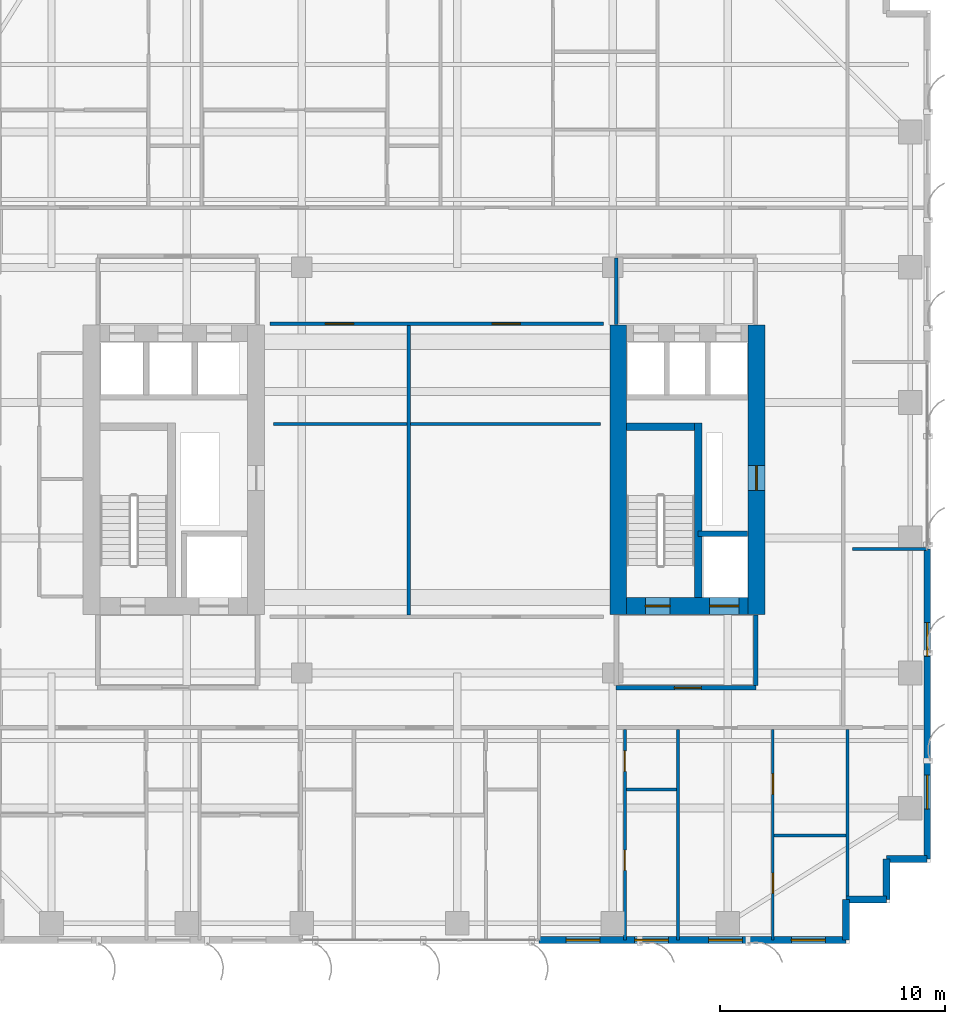
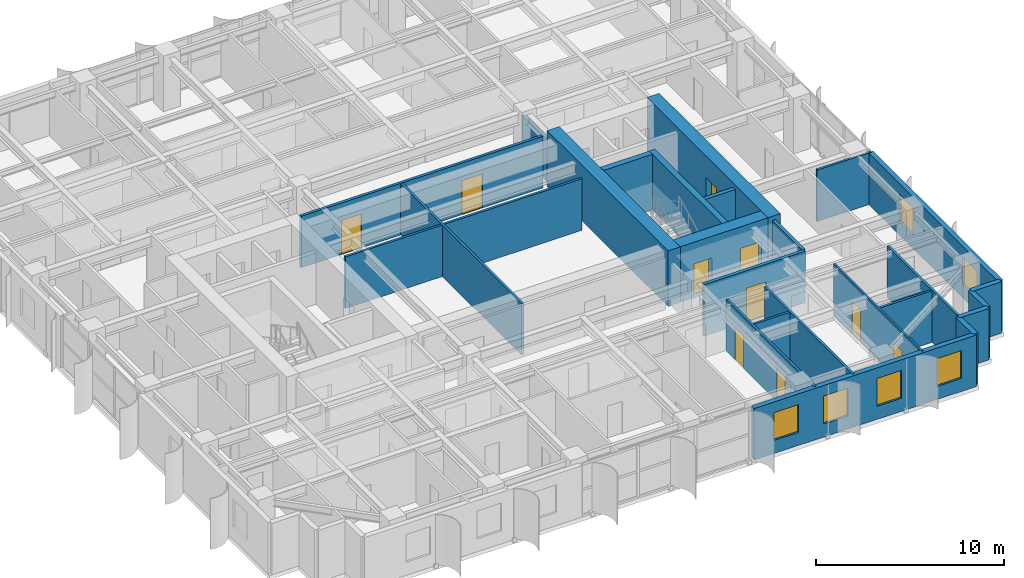
# One storey, part 15 of 22: 25 walls, 10 doors, 6 windows, 16 openings.
"""IFC4 building model written with IfcOpenShell, lengths in metres."""

from ifc_helpers import new_model, si_unit, direction, frame, frame_2d, origin, place, context, subcontext, project, spatial, rectangle, extrude, source, transform, mapped, material, layer, layer_set, type_object, element, fill, save


model = new_model("IFC4")

# Units and contexts
model_context = context("Model", 3, precision=1e-05, world=origin(), true_north=direction((0.0, 1.0)))
body_context = subcontext(model_context, "Body", "Model", "MODEL_VIEW")
ifc_project = project(units=[si_unit("LENGTHUNIT", "METRE"), si_unit("AREAUNIT", "SQUARE_METRE"), si_unit("VOLUMEUNIT", "CUBIC_METRE"), si_unit("PLANEANGLEUNIT", "RADIAN"), si_unit("MASSUNIT", "GRAM", prefix="KILO")], contexts=[model_context])

# Site, building, storey
site_placement = place(None, origin())
site = spatial("IfcSite", under=ifc_project, at=site_placement, CompositionType="ELEMENT")
building_placement = place(site_placement, origin())
building = spatial("IfcBuilding", under=site, at=building_placement, Name="Khoralis Quay Care Tower", CompositionType="ELEMENT")
storey_placement = place(building_placement, frame((0.0, 0.0, 98.10009765625)))
storey = spatial("IfcBuildingStorey", under=building, at=storey_placement, Name="L25", CompositionType="ELEMENT", Elevation=98.10009765625)

# Wall, opening, door
ifc_material_1 = material(Name="Gypsum plasterboard on acoustic metal stud")
ifc_layer_1 = layer(ifc_material_1, 0.199951171875)
ifc_layer_set_1 = layer_set([ifc_layer_1], Name="Gypsum plasterboard on acoustic metal stud")
wall_type_1 = type_object("IfcWallType", Name="WL-COMP-200", PredefinedType="PARTITIONING", material=ifc_layer_set_1)
wall_1_placement = place(storey_placement, frame((31.050048828125, 11.35009765625, 0.0), z_axis=(0.0, 0.0, 1.0), x_axis=(1.0, 0.0, 0.0)))
wall_1 = element("IfcWall", 1, at=wall_1_placement, inside=storey, type_object=wall_type_1, Name="L25 East Firefighting Lobby South Wall", PredefinedType="PARTITIONING", context=body_context, shape_type="SweptSolid", body=[
    extrude(rectangle(XDim=6.199951171875, YDim=0.199951171875, at=frame_2d((3.10009765625, 0.0))), origin(), (0.0, 0.0, 1.0), 3.33984375),
])
opening_1_placement = place(wall_1_placement, frame((2.585693359375, 0.0, 0.0)))
opening_1 = element("IfcOpeningElement", 2, at=opening_1_placement, cuts=wall_1, Name="Opening FD1", PredefinedType="OPENING", context=body_context, shape_type="SweptSolid", body=[
    extrude(rectangle(XDim=1.199951171875, YDim=2.199951171875, at=frame_2d((0.60009765625, 1.10009765625))), frame((0.0, 0.10986328125, 0.0), z_axis=(0.0, -1.0, 0.0), x_axis=(1.0, 0.0, 0.0)), (0.0, 0.0, 1.0), 0.219970703125),
])
ifc_material_2 = material(Name="Fire-rated painted steel", Category="steel")
door_type_1 = type_object("IfcDoorType", Name="DR-FFL-1200X2200", OperationType="NOTDEFINED", PredefinedType="DOOR", material=ifc_material_2)
shared_shape_1 = source(origin(), body_context, "Body", "SweptSolid", [
    extrude(rectangle(XDim=1.199951171875, YDim=2.199951171875, at=frame_2d((0.60009765625, 1.10009765625))), frame((0.0, 0.02490234375, 0.0), z_axis=(0.0, -1.0, 0.0), x_axis=(1.0, 0.0, 0.0)), (0.0, 0.0, 1.0), 0.050048828125),
])
door_1_placement = place(opening_1_placement, origin())
door_1 = element("IfcDoor", 3, at=door_1_placement, inside=storey, type_object=door_type_1, Name="L25 East Firefighting Lobby Fire Door", OperationType="SINGLE_SWING_RIGHT", OverallHeight=2.199951171875, OverallWidth=1.199951171875, PredefinedType="DOOR", context=body_context, shape_type="MappedRepresentation", body=[
    mapped(shared_shape_1, transform((0.0, 0.0, 0.0), scale=1.0)),
])
fill(opening_1, door_1)

# Walls
wall_2_placement = place(storey_placement, frame((37.25, 11.445068359375, 0.0), z_axis=(0.0, 0.0, 1.0), x_axis=(0.0, 1.0, 0.0)))
element("IfcWall", 4, at=wall_2_placement, inside=storey, type_object=wall_type_1, Name="L25 East Firefighting Lobby East Wall", PredefinedType="PARTITIONING", context=body_context, shape_type="SweptSolid", body=[
    extrude(rectangle(XDim=3.135009765625, YDim=0.199951171875, at=frame_2d((1.5673828125, 0.0))), origin(), (0.0, 0.0, 1.0), 3.33984375),
])
ifc_material_3 = material(Name="Concrete C80/95", Category="concrete")
ifc_layer_2 = layer(ifc_material_3, 0.75)
ifc_layer_set_2 = layer_set([ifc_layer_2], Name="Concrete C80/95")
wall_type_2 = type_object("IfcWallType", Name="WL-CORE-750", PredefinedType="SHEAR", material=ifc_layer_set_2)
wall_3_placement = place(storey_placement, frame((31.14501953125, 14.60009765625, 0.0), z_axis=(0.0, 0.0, 1.0), x_axis=(0.0, 1.0, 0.0)))
element("IfcWall", 5, at=wall_3_placement, inside=storey, type_object=wall_type_2, Name="L25 ECORE West Shear Wall", PredefinedType="SHEAR", context=body_context, shape_type="SweptSolid", body=[
    extrude(rectangle(XDim=12.849853515625, YDim=0.75, at=frame_2d((6.4248046875, 0.0))), origin(), (0.0, 0.0, 1.0), 3.599853515625),
])

# Wall, opening, door
wall_4_placement = place(storey_placement, frame((37.27490234375, 14.60009765625, 0.0), z_axis=(0.0, 0.0, 1.0), x_axis=(0.0, 1.0, 0.0)))
wall_4 = element("IfcWall", 6, at=wall_4_placement, inside=storey, type_object=wall_type_2, Name="L25 ECORE East Shear Wall", PredefinedType="SHEAR", context=body_context, shape_type="SweptSolid", body=[
    extrude(rectangle(XDim=12.849853515625, YDim=0.75, at=frame_2d((6.4248046875, 0.0))), origin(), (0.0, 0.0, 1.0), 3.599853515625),
])
opening_2_placement = place(wall_4_placement, frame((5.5, 0.0, 0.0)))
opening_2 = element("IfcOpeningElement", 7, at=opening_2_placement, cuts=wall_4, Name="Opening SD1", PredefinedType="OPENING", context=body_context, shape_type="SweptSolid", body=[
    extrude(rectangle(XDim=1.10009765625, YDim=2.199951171875, at=frame_2d((0.550048828125, 1.10009765625))), frame((0.0, 0.385009765625, 0.0), z_axis=(0.0, -1.0, 0.0), x_axis=(1.0, 0.0, 0.0)), (0.0, 0.0, 1.0), 0.77001953125),
])
door_type_2 = type_object("IfcDoorType", Name="DR-STAIR-1100X2200", OperationType="NOTDEFINED", PredefinedType="DOOR", material=ifc_material_2)
shared_shape_2 = source(origin(), body_context, "Body", "SweptSolid", [
    extrude(rectangle(XDim=1.10009765625, YDim=2.199951171875, at=frame_2d((0.550048828125, 1.10009765625))), frame((0.0, 0.02490234375, 0.0), z_axis=(0.0, -1.0, 0.0), x_axis=(1.0, 0.0, 0.0)), (0.0, 0.0, 1.0), 0.050048828125),
])
door_2_placement = place(opening_2_placement, frame((1.10009765625, 0.0, 0.0), z_axis=(0.0, 0.0, 1.0), x_axis=(-1.0, 0.0, 0.0)))
door_2 = element("IfcDoor", 8, at=door_2_placement, inside=storey, type_object=door_type_2, Name="L25 East MEP Riser Door", OperationType="SINGLE_SWING_RIGHT", OverallHeight=2.199951171875, OverallWidth=1.10009765625, PredefinedType="DOOR", context=body_context, shape_type="MappedRepresentation", body=[
    mapped(shared_shape_2, transform((0.0, 0.0, 0.0), scale=1.0)),
])
fill(opening_2, door_2)

# Wall, openings, doors
wall_5_placement = place(storey_placement, frame((31.52001953125, 14.97509765625, 0.0), z_axis=(0.0, 0.0, 1.0), x_axis=(1.0, 0.0, 0.0)))
wall_5 = element("IfcWall", 9, at=wall_5_placement, inside=storey, type_object=wall_type_2, Name="L25 ECORE South Shear Wall", PredefinedType="SHEAR", context=body_context, shape_type="SweptSolid", body=[
    extrude(rectangle(XDim=5.3798828125, YDim=0.75, at=frame_2d((2.68994140625, 0.0))), origin(), (0.0, 0.0, 1.0), 3.599853515625),
])
opening_3_placement = place(wall_5_placement, frame((0.830078125, 0.0, 0.0)))
opening_3 = element("IfcOpeningElement", 10, at=opening_3_placement, cuts=wall_5, Name="Opening SD1", PredefinedType="OPENING", context=body_context, shape_type="SweptSolid", body=[
    extrude(rectangle(XDim=1.10009765625, YDim=2.199951171875, at=frame_2d((0.550048828125, 1.10009765625))), frame((0.0, 0.385009765625, 0.0), z_axis=(0.0, -1.0, 0.0), x_axis=(1.0, 0.0, 0.0)), (0.0, 0.0, 1.0), 0.77001953125),
])
opening_4_placement = place(wall_5_placement, frame((3.679931640625, 0.0, 0.0)))
opening_4 = element("IfcOpeningElement", 11, at=opening_4_placement, cuts=wall_5, Name="Opening LD2", PredefinedType="OPENING", context=body_context, shape_type="SweptSolid", body=[
    extrude(rectangle(XDim=1.300048828125, YDim=2.199951171875, at=frame_2d((0.64990234375, 1.10009765625))), frame((0.0, 0.385009765625, 0.0), z_axis=(0.0, -1.0, 0.0), x_axis=(1.0, 0.0, 0.0)), (0.0, 0.0, 1.0), 0.77001953125),
])
door_3_placement = place(opening_3_placement, origin())
door_3 = element("IfcDoor", 12, at=door_3_placement, inside=storey, type_object=door_type_2, Name="L25 Stair ST-T2 Fire Door", OperationType="SINGLE_SWING_RIGHT", OverallHeight=2.199951171875, OverallWidth=1.10009765625, PredefinedType="DOOR", context=body_context, shape_type="MappedRepresentation", body=[
    mapped(shared_shape_2, transform((0.0, 0.0, 0.0), scale=1.0)),
])
fill(opening_3, door_3)
ifc_material_4 = material(Name="Brushed stainless steel", Category="steel")
door_type_3 = type_object("IfcDoorType", Name="DR-LIFT-1300X2200", OperationType="SLIDING_TO_RIGHT", PredefinedType="DOOR", material=ifc_material_4)
shared_shape_3 = source(origin(), body_context, "Body", "SweptSolid", [
    extrude(rectangle(XDim=1.300048828125, YDim=2.199951171875, at=frame_2d((0.64990234375, 1.10009765625))), frame((0.0, 0.02490234375, 0.0), z_axis=(0.0, -1.0, 0.0), x_axis=(1.0, 0.0, 0.0)), (0.0, 0.0, 1.0), 0.050048828125),
])
door_4_placement = place(opening_4_placement, origin())
door_4 = element("IfcDoor", 13, at=door_4_placement, inside=storey, type_object=door_type_3, Name="L25 Firefighting Lift FFL-2 Landing Door", OperationType="SLIDING_TO_RIGHT", OverallHeight=2.199951171875, OverallWidth=1.300048828125, PredefinedType="DOOR", context=body_context, shape_type="MappedRepresentation", body=[
    mapped(shared_shape_3, transform((0.0, 0.0, 0.0), scale=1.0)),
])
fill(opening_4, door_4)

# Wall
ifc_layer_3 = layer(ifc_material_1, 0.1650390625)
ifc_layer_set_3 = layer_set([ifc_layer_3], Name="Gypsum plasterboard on acoustic metal stud")
wall_type_3 = type_object("IfcWallType", Name="WL-CORR-165", PredefinedType="PARTITIONING", material=ifc_layer_set_3)
wall_6_placement = place(storey_placement, frame((31.050048828125, 27.469970703125, 0.0), z_axis=(0.0, 0.0, 1.0), x_axis=(0.0, 1.0, 0.0)))
element("IfcWall", 14, at=wall_6_placement, inside=storey, type_object=wall_type_3, Name="L25 East Lift Lobby West Wall", PredefinedType="PARTITIONING", context=body_context, shape_type="SweptSolid", body=[
    extrude(rectangle(XDim=2.95263671875, YDim=0.1650390625, at=frame_2d((1.476318359375, 0.0))), origin(), (0.0, 0.0, 1.0), 2.723876953125),
])

# Wall, openings, doors
wall_7_placement = place(storey_placement, frame((15.699951171875, 27.5, 0.0), z_axis=(0.0, 0.0, 1.0), x_axis=(1.0, 0.0, 0.0)))
wall_7 = element("IfcWall", 15, at=wall_7_placement, inside=storey, type_object=wall_type_3, Name="L25 Central Clinical North Wall", PredefinedType="PARTITIONING", context=body_context, shape_type="SweptSolid", body=[
    extrude(rectangle(XDim=14.800048828125, YDim=0.1650390625, at=frame_2d((7.39990234375, 0.0))), origin(), (0.0, 0.0, 1.0), 3.33984375),
])
opening_5_placement = place(wall_7_placement, frame((2.449951171875, 0.0, 0.0)))
opening_5 = element("IfcOpeningElement", 16, at=opening_5_placement, cuts=wall_7, Name="Opening CD1", PredefinedType="OPENING", context=body_context, shape_type="SweptSolid", body=[
    extrude(rectangle(XDim=1.25, YDim=2.199951171875, at=frame_2d((0.625, 1.10009765625))), frame((0.0, 0.092529296875, 0.0), z_axis=(0.0, -1.0, 0.0), x_axis=(1.0, 0.0, 0.0)), (0.0, 0.0, 1.0), 0.18505859375),
])
opening_6_placement = place(wall_7_placement, frame((9.85009765625, 0.0, 0.0)))
opening_6 = element("IfcOpeningElement", 17, at=opening_6_placement, cuts=wall_7, Name="Opening CD1", PredefinedType="OPENING", context=body_context, shape_type="SweptSolid", body=[
    extrude(rectangle(XDim=1.25, YDim=2.199951171875, at=frame_2d((0.625, 1.10009765625))), frame((0.0, 0.092529296875, 0.0), z_axis=(0.0, -1.0, 0.0), x_axis=(1.0, 0.0, 0.0)), (0.0, 0.0, 1.0), 0.18505859375),
])
ifc_material_5 = material(Name="Acoustic hardwood timber", Category="wood")
door_type_4 = type_object("IfcDoorType", Name="DR-CARE-1250X2200", OperationType="NOTDEFINED", PredefinedType="DOOR", material=ifc_material_5)
shared_shape_4 = source(origin(), body_context, "Body", "SweptSolid", [
    extrude(rectangle(XDim=1.25, YDim=2.199951171875, at=frame_2d((0.625, 1.10009765625))), frame((0.0, 0.02490234375, 0.0), z_axis=(0.0, -1.0, 0.0), x_axis=(1.0, 0.0, 0.0)), (0.0, 0.0, 1.0), 0.050048828125),
])
door_5_placement = place(opening_5_placement, frame((1.25, 0.0, 0.0), z_axis=(0.0, 0.0, 1.0), x_axis=(-1.0, 0.0, 0.0)))
door_5 = element("IfcDoor", 18, at=door_5_placement, inside=storey, type_object=door_type_4, Name="L25 Library Lounge Door", OperationType="SINGLE_SWING_LEFT", OverallHeight=2.199951171875, OverallWidth=1.25, PredefinedType="DOOR", context=body_context, shape_type="MappedRepresentation", body=[
    mapped(shared_shape_4, transform((0.0, 0.0, 0.0), scale=1.0)),
])
fill(opening_5, door_5)
door_6_placement = place(opening_6_placement, frame((1.25, 0.0, 0.0), z_axis=(0.0, 0.0, 1.0), x_axis=(-1.0, 0.0, 0.0)))
door_6 = element("IfcDoor", 19, at=door_6_placement, inside=storey, type_object=door_type_4, Name="L25 Occupational Therapy Door", OperationType="SINGLE_SWING_RIGHT", OverallHeight=2.199951171875, OverallWidth=1.25, PredefinedType="DOOR", context=body_context, shape_type="MappedRepresentation", body=[
    mapped(shared_shape_4, transform((0.0, 0.0, 0.0), scale=1.0)),
])
fill(opening_6, door_6)

# Wall, openings, windows
ifc_material_6 = material(Name="Precast concrete C45/55", Category="concrete")
ifc_layer_4 = layer(ifc_material_6, 0.300048828125)
ifc_layer_set_4 = layer_set([ifc_layer_4], Name="Precast concrete C45/55")
wall_type_4 = type_object("IfcWallType", Name="WL-EXT-REF-300", PredefinedType="SOLIDWALL", material=ifc_layer_set_4)
wall_8_placement = place(storey_placement, frame((27.6201171875, 0.14990234375, 0.0), z_axis=(0.0, 0.0, 1.0), x_axis=(1.0, 0.0, 0.0)))
wall_8 = element("IfcWall", 20, at=wall_8_placement, inside=storey, type_object=wall_type_4, Name="L25 External Facade Wall WL-EXT-L25-P1-E0B", PredefinedType="SOLIDWALL", context=body_context, shape_type="SweptSolid", body=[
    extrude(rectangle(XDim=13.6298828125, YDim=0.300048828125, at=frame_2d((6.81494140625, 0.0))), origin(), (0.0, 0.0, 1.0), 3.33984375),
])
opening_7_placement = place(wall_8_placement, frame((1.2099609375, 0.0, 0.85009765625)))
opening_7 = element("IfcOpeningElement", 21, at=opening_7_placement, cuts=wall_8, Name="Opening W3", PredefinedType="OPENING", context=body_context, shape_type="SweptSolid", body=[
    extrude(rectangle(XDim=1.5, YDim=1.800048828125, at=frame_2d((0.75, 0.89990234375))), frame((0.0, 0.16015625, 0.0), z_axis=(0.0, -1.0, 0.0), x_axis=(1.0, 0.0, 0.0)), (0.0, 0.0, 1.0), 0.320068359375),
])
opening_8_placement = place(wall_8_placement, frame((4.2451171875, 0.0, 0.85009765625)))
opening_8 = element("IfcOpeningElement", 22, at=opening_8_placement, cuts=wall_8, Name="Opening W3", PredefinedType="OPENING", context=body_context, shape_type="SweptSolid", body=[
    extrude(rectangle(XDim=1.5, YDim=1.800048828125, at=frame_2d((0.75, 0.89990234375))), frame((0.0, 0.16015625, 0.0), z_axis=(0.0, -1.0, 0.0), x_axis=(1.0, 0.0, 0.0)), (0.0, 0.0, 1.0), 0.320068359375),
])
opening_9_placement = place(wall_8_placement, frame((7.528564453125, 0.0, 0.85009765625)))
opening_9 = element("IfcOpeningElement", 23, at=opening_9_placement, cuts=wall_8, Name="Opening W3", PredefinedType="OPENING", context=body_context, shape_type="SweptSolid", body=[
    extrude(rectangle(XDim=1.5, YDim=1.800048828125, at=frame_2d((0.75, 0.89990234375))), frame((0.0, 0.16015625, 0.0), z_axis=(0.0, -1.0, 0.0), x_axis=(1.0, 0.0, 0.0)), (0.0, 0.0, 1.0), 0.320068359375),
])
opening_10_placement = place(wall_8_placement, frame((11.20849609375, 0.0, 0.85009765625)))
opening_10 = element("IfcOpeningElement", 24, at=opening_10_placement, cuts=wall_8, Name="Opening W3", PredefinedType="OPENING", context=body_context, shape_type="SweptSolid", body=[
    extrude(rectangle(XDim=1.5, YDim=1.800048828125, at=frame_2d((0.75, 0.89990234375))), frame((0.0, 0.16015625, 0.0), z_axis=(0.0, -1.0, 0.0), x_axis=(1.0, 0.0, 0.0)), (0.0, 0.0, 1.0), 0.320068359375),
])
ifc_material_7 = material(Name="Low-E solar-control double glazing", Category="glass")
window_type = type_object("IfcWindowType", Name="WN-CLIN-1500X1800", PartitioningType="SINGLE_PANEL", PredefinedType="WINDOW", material=ifc_material_7)
shared_shape_5 = source(origin(), body_context, "Body", "SweptSolid", [
    extrude(rectangle(XDim=1.5, YDim=1.800048828125, at=frame_2d((0.75, 0.89990234375))), frame((0.0, 0.030029296875, 0.0), z_axis=(0.0, -1.0, 0.0), x_axis=(1.0, 0.0, 0.0)), (0.0, 0.0, 1.0), 0.06005859375),
])
window_1_placement = place(opening_7_placement, origin())
window_1 = element("IfcWindow", 25, at=window_1_placement, inside=storey, type_object=window_type, Name="WN-L25-P1-E0B Facade Window 01", OverallHeight=1.800048828125, OverallWidth=1.5, PartitioningType="SINGLE_PANEL", PredefinedType="WINDOW", context=body_context, shape_type="MappedRepresentation", body=[
    mapped(shared_shape_5, transform((0.0, 0.0, 0.0), scale=1.0)),
])
fill(opening_7, window_1)
window_2_placement = place(opening_8_placement, origin())
window_2 = element("IfcWindow", 26, at=window_2_placement, inside=storey, type_object=window_type, Name="WN-L25-P1-E0B Facade Window 02", OverallHeight=1.800048828125, OverallWidth=1.5, PartitioningType="SINGLE_PANEL", PredefinedType="WINDOW", context=body_context, shape_type="MappedRepresentation", body=[
    mapped(shared_shape_5, transform((0.0, 0.0, 0.0), scale=1.0)),
])
fill(opening_8, window_2)
window_3_placement = place(opening_9_placement, origin())
window_3 = element("IfcWindow", 27, at=window_3_placement, inside=storey, type_object=window_type, Name="WN-L25-P1-E0B Facade Window 03", OverallHeight=1.800048828125, OverallWidth=1.5, PartitioningType="SINGLE_PANEL", PredefinedType="WINDOW", context=body_context, shape_type="MappedRepresentation", body=[
    mapped(shared_shape_5, transform((0.0, 0.0, 0.0), scale=1.0)),
])
fill(opening_9, window_3)
window_4_placement = place(opening_10_placement, origin())
window_4 = element("IfcWindow", 28, at=window_4_placement, inside=storey, type_object=window_type, Name="WN-L25-P1-E0B Facade Window 04", OverallHeight=1.800048828125, OverallWidth=1.5, PartitioningType="SINGLE_PANEL", PredefinedType="WINDOW", context=body_context, shape_type="MappedRepresentation", body=[
    mapped(shared_shape_5, transform((0.0, 0.0, 0.0), scale=1.0)),
])
fill(opening_10, window_4)

# Walls
for number, where, z_axis, x_axis, name in (
    (29, (41.25, 0.14990234375, 0.0), (0.0, 0.0, 1.0), (0.0, 1.0, 0.0), "L25 External Facade Wall WL-EXT-L25-P1-C1"),
    (30, (41.25, 1.949951171875, 0.0), (0.0, 0.0, 1.0), (1.0, 0.0, 0.0), "L25 External Facade Wall WL-EXT-L25-P1-C2"),
    (31, (43.050048828125, 1.949951171875, 0.0), (0.0, 0.0, 1.0), (0.0, 1.0, 0.0), "L25 External Facade Wall WL-EXT-L25-P1-C3"),
    (32, (43.050048828125, 3.75, 0.0), (0.0, 0.0, 1.0), (1.0, 0.0, 0.0), "L25 External Facade Wall WL-EXT-L25-P1-C4"),
):
    element("IfcWall", number, at=place(storey_placement, frame(where, z_axis=z_axis, x_axis=x_axis)), inside=storey, type_object=wall_type_4, Name=name, PredefinedType="SOLIDWALL", context=body_context, shape_type="SweptSolid", body=[
        extrude(rectangle(XDim=1.800048828125, YDim=0.300048828125, at=frame_2d((0.89990234375, 0.0))), origin(), (0.0, 0.0, 1.0), 3.33984375),
    ])

# Wall, openings, windows
wall_9_placement = place(storey_placement, frame((44.85009765625, 3.75, 0.0), z_axis=(0.0, 0.0, 1.0), x_axis=(0.0, 1.0, 0.0)))
wall_9 = element("IfcWall", 33, at=wall_9_placement, inside=storey, type_object=wall_type_4, Name="L25 External Facade Wall WL-EXT-L25-P1-E5A", PredefinedType="SOLIDWALL", context=body_context, shape_type="SweptSolid", body=[
    extrude(rectangle(XDim=13.75, YDim=0.300048828125, at=frame_2d((6.875, 0.0))), origin(), (0.0, 0.0, 1.0), 3.33984375),
])
opening_11_placement = place(wall_9_placement, frame((2.215087890625, 0.0, 0.85009765625)))
opening_11 = element("IfcOpeningElement", 34, at=opening_11_placement, cuts=wall_9, Name="Opening W3", PredefinedType="OPENING", context=body_context, shape_type="SweptSolid", body=[
    extrude(rectangle(XDim=1.5, YDim=1.800048828125, at=frame_2d((0.75, 0.89990234375))), frame((0.0, 0.16015625, 0.0), z_axis=(0.0, -1.0, 0.0), x_axis=(1.0, 0.0, 0.0)), (0.0, 0.0, 1.0), 0.320068359375),
])
opening_12_placement = place(wall_9_placement, frame((8.989990234375, 0.0, 0.85009765625)))
opening_12 = element("IfcOpeningElement", 35, at=opening_12_placement, cuts=wall_9, Name="Opening W3", PredefinedType="OPENING", context=body_context, shape_type="SweptSolid", body=[
    extrude(rectangle(XDim=1.5, YDim=1.800048828125, at=frame_2d((0.75, 0.89990234375))), frame((0.0, 0.16015625, 0.0), z_axis=(0.0, -1.0, 0.0), x_axis=(1.0, 0.0, 0.0)), (0.0, 0.0, 1.0), 0.320068359375),
])
window_5_placement = place(opening_11_placement, origin())
window_5 = element("IfcWindow", 36, at=window_5_placement, inside=storey, type_object=window_type, Name="WN-L25-P1-E5A Facade Window 01", OverallHeight=1.800048828125, OverallWidth=1.5, PartitioningType="SINGLE_PANEL", PredefinedType="WINDOW", context=body_context, shape_type="MappedRepresentation", body=[
    mapped(shared_shape_5, transform((0.0, 0.0, 0.0), scale=1.0)),
])
fill(opening_11, window_5)
window_6_placement = place(opening_12_placement, origin())
window_6 = element("IfcWindow", 37, at=window_6_placement, inside=storey, type_object=window_type, Name="WN-L25-P1-E5A Facade Window 02", OverallHeight=1.800048828125, OverallWidth=1.5, PartitioningType="SINGLE_PANEL", PredefinedType="WINDOW", context=body_context, shape_type="MappedRepresentation", body=[
    mapped(shared_shape_5, transform((0.0, 0.0, 0.0), scale=1.0)),
])
fill(opening_12, window_6)

# Wall, openings, doors
ifc_layer_5 = layer(ifc_material_1, 0.114990234375)
ifc_layer_set_5 = layer_set([ifc_layer_5], Name="Gypsum plasterboard on acoustic metal stud")
wall_type_5 = type_object("IfcWallType", Name="WL-PART-115", PredefinedType="PARTITIONING", material=ifc_layer_set_5)
wall_10_placement = place(storey_placement, frame((38.007080078125, 0.14501953125, 0.0), z_axis=(0.0, 0.0, 1.0), x_axis=(0.0, 1.0, 0.0)))
wall_10 = element("IfcWall", 38, at=wall_10_placement, inside=storey, type_object=wall_type_5, Name="L25 Studio 4 Internal Wall", PredefinedType="PARTITIONING", context=body_context, shape_type="SweptSolid", body=[
    extrude(rectangle(XDim=9.357421875, YDim=0.114990234375, at=frame_2d((4.6787109375, 0.0))), origin(), (0.0, 0.0, 1.0), 3.33984375),
])
opening_13_placement = place(wall_10_placement, frame((2.074951171875, 0.0, 0.0)))
opening_13 = element("IfcOpeningElement", 39, at=opening_13_placement, cuts=wall_10, Name="Opening WD1", PredefinedType="OPENING", context=body_context, shape_type="SweptSolid", body=[
    extrude(rectangle(XDim=0.89990234375, YDim=2.10009765625, at=frame_2d((0.449951171875, 1.050048828125))), frame((0.0, 0.0673828125, 0.0), z_axis=(0.0, -1.0, 0.0), x_axis=(1.0, 0.0, 0.0)), (0.0, 0.0, 1.0), 0.135009765625),
])
opening_14_placement = place(wall_10_placement, frame((6.47509765625, 0.0, 0.0)))
opening_14 = element("IfcOpeningElement", 40, at=opening_14_placement, cuts=wall_10, Name="Opening WD1", PredefinedType="OPENING", context=body_context, shape_type="SweptSolid", body=[
    extrude(rectangle(XDim=0.89990234375, YDim=2.10009765625, at=frame_2d((0.449951171875, 1.050048828125))), frame((0.0, 0.0673828125, 0.0), z_axis=(0.0, -1.0, 0.0), x_axis=(1.0, 0.0, 0.0)), (0.0, 0.0, 1.0), 0.135009765625),
])
door_type_5 = type_object("IfcDoorType", Name="DR-BATH-900X2100", OperationType="NOTDEFINED", PredefinedType="DOOR", material=ifc_material_5)
shared_shape_6 = source(origin(), body_context, "Body", "SweptSolid", [
    extrude(rectangle(XDim=0.89990234375, YDim=2.10009765625, at=frame_2d((0.449951171875, 1.050048828125))), frame((0.0, 0.02490234375, 0.0), z_axis=(0.0, -1.0, 0.0), x_axis=(1.0, 0.0, 0.0)), (0.0, 0.0, 1.0), 0.050048828125),
])
door_7_placement = place(opening_13_placement, frame((0.89990234375, 0.0, 0.0), z_axis=(0.0, 0.0, 1.0), x_axis=(-1.0, 0.0, 0.0)))
door_7 = element("IfcDoor", 41, at=door_7_placement, inside=storey, type_object=door_type_5, Name="L25 Studio SKT Door", OperationType="SINGLE_SWING_RIGHT", OverallHeight=2.10009765625, OverallWidth=0.89990234375, PredefinedType="DOOR", context=body_context, shape_type="MappedRepresentation", body=[
    mapped(shared_shape_6, transform((0.0, 0.0, 0.0), scale=1.0)),
])
fill(opening_13, door_7)
door_8_placement = place(opening_14_placement, frame((0.89990234375, 0.0, 0.0), z_axis=(0.0, 0.0, 1.0), x_axis=(-1.0, 0.0, 0.0)))
door_8 = element("IfcDoor", 42, at=door_8_placement, inside=storey, type_object=door_type_5, Name="L25 Studio SBH Door", OperationType="SINGLE_SWING_LEFT", OverallHeight=2.10009765625, OverallWidth=0.89990234375, PredefinedType="DOOR", context=body_context, shape_type="MappedRepresentation", body=[
    mapped(shared_shape_6, transform((0.0, 0.0, 0.0), scale=1.0)),
])
fill(opening_14, door_8)

ifc_material_8 = material(Name="Moisture-resistant gypsum and ceramic tile")
ifc_layer_6 = layer(ifc_material_8, 0.280029296875)
ifc_layer_set_6 = layer_set([ifc_layer_6], Name="Moisture-resistant gypsum and ceramic tile")
wall_type_6 = type_object("IfcWallType", Name="WL-PLUMB-280", PredefinedType="PLUMBINGWALL", material=ifc_layer_set_6)
wall_11_placement = place(storey_placement, frame((31.43994140625, 0.14501953125, 0.0), z_axis=(0.0, 0.0, 1.0), x_axis=(0.0, 1.0, 0.0)))
wall_11 = element("IfcWall", 43, at=wall_11_placement, inside=storey, type_object=wall_type_6, Name="L25 Care Suite 3 En-Suite Wall V", PredefinedType="PLUMBINGWALL", context=body_context, shape_type="SweptSolid", body=[
    extrude(rectangle(XDim=9.357421875, YDim=0.139892578125, at=frame_2d((4.6787109375, 0.0))), origin(), (0.0, 0.0, 1.0), 3.33984375),
])
opening_15_placement = place(wall_11_placement, frame((7.4951171875, 0.0, 0.0)))
opening_15 = element("IfcOpeningElement", 44, at=opening_15_placement, cuts=wall_11, Name="Opening WD1", PredefinedType="OPENING", context=body_context, shape_type="SweptSolid", body=[
    extrude(rectangle(XDim=0.89990234375, YDim=2.10009765625, at=frame_2d((0.449951171875, 1.050048828125))), frame((0.0, 0.080078125, 0.0), z_axis=(0.0, -1.0, 0.0), x_axis=(1.0, 0.0, 0.0)), (0.0, 0.0, 1.0), 0.159912109375),
])
opening_16_placement = place(wall_11_placement, frame((3.094970703125, 0.0, 0.0)))
opening_16 = element("IfcOpeningElement", 45, at=opening_16_placement, cuts=wall_11, Name="Opening WD1", PredefinedType="OPENING", context=body_context, shape_type="SweptSolid", body=[
    extrude(rectangle(XDim=0.89990234375, YDim=2.10009765625, at=frame_2d((0.449951171875, 1.050048828125))), frame((0.0, 0.080078125, 0.0), z_axis=(0.0, -1.0, 0.0), x_axis=(1.0, 0.0, 0.0)), (0.0, 0.0, 1.0), 0.159912109375),
])
door_9_placement = place(opening_15_placement, frame((0.89990234375, 0.0, 0.0), z_axis=(0.0, 0.0, 1.0), x_axis=(-1.0, 0.0, 0.0)))
door_9 = element("IfcDoor", 46, at=door_9_placement, inside=storey, type_object=door_type_5, Name="L25 Care CENS Door", OperationType="SINGLE_SWING_LEFT", OverallHeight=2.10009765625, OverallWidth=0.89990234375, PredefinedType="DOOR", context=body_context, shape_type="MappedRepresentation", body=[
    mapped(shared_shape_6, transform((0.0, 0.0, 0.0), scale=1.0)),
])
fill(opening_15, door_9)
door_10_placement = place(opening_16_placement, frame((0.89990234375, 0.0, 0.0), z_axis=(0.0, 0.0, 1.0), x_axis=(-1.0, 0.0, 0.0)))
door_10 = element("IfcDoor", 47, at=door_10_placement, inside=storey, type_object=door_type_5, Name="L25 Care CSIT Door", OperationType="SINGLE_SWING_RIGHT", OverallHeight=2.10009765625, OverallWidth=0.89990234375, PredefinedType="DOOR", context=body_context, shape_type="MappedRepresentation", body=[
    mapped(shared_shape_6, transform((0.0, 0.0, 0.0), scale=1.0)),
])
fill(opening_16, door_10)

# Walls
wall_12_placement = place(storey_placement, frame((31.5048828125, 6.830078125, 0.0), z_axis=(0.0, 0.0, 1.0), x_axis=(1.0, 0.0, 0.0)))
element("IfcWall", 48, at=wall_12_placement, inside=storey, type_object=wall_type_6, Name="L25 Care Suite 3 En-Suite Wall H", PredefinedType="PLUMBINGWALL", context=body_context, shape_type="SweptSolid", body=[
    extrude(rectangle(XDim=2.22021484375, YDim=0.139892578125, at=frame_2d((1.110107421875, 0.0))), origin(), (0.0, 0.0, 1.0), 3.33984375),
])
wall_13_placement = place(storey_placement, frame((38.0595703125, 4.7900390625, 0.0), z_axis=(0.0, 0.0, 1.0), x_axis=(1.0, 0.0, 0.0)))
element("IfcWall", 49, at=wall_13_placement, inside=storey, type_object=wall_type_6, Name="L25 Studio 4 Wet Split", PredefinedType="PLUMBINGWALL", context=body_context, shape_type="SweptSolid", body=[
    extrude(rectangle(XDim=3.1953125, YDim=0.139892578125, at=frame_2d((1.59765625, 0.0))), origin(), (0.0, 0.0, 1.0), 3.33984375),
])
ifc_material_9 = material(Name="Concrete C40/50", Category="concrete")
ifc_layer_7 = layer(ifc_material_9, 0.35009765625)
ifc_layer_set_7 = layer_set([ifc_layer_7], Name="Concrete C40/50")
wall_type_7 = type_object("IfcWallType", Name="WL-SC-CORE-350", PredefinedType="SHEAR", material=ifc_layer_set_7)
wall_14_placement = place(storey_placement, frame((34.695068359375, 15.35009765625, 0.0), z_axis=(0.0, 0.0, 1.0), x_axis=(0.0, 1.0, 0.0)))
element("IfcWall", 50, at=wall_14_placement, inside=storey, type_object=wall_type_7, Name="L25 Stair ST-T2 Shear Baffle Wall East", PredefinedType="SHEAR", context=body_context, shape_type="SweptSolid", body=[
    extrude(rectangle(XDim=7.75, YDim=0.35009765625, at=frame_2d((3.875, 0.0))), origin(), (0.0, 0.0, 1.0), 3.599853515625),
])
wall_15_placement = place(storey_placement, frame((31.52001953125, 22.925048828125, 0.0), z_axis=(0.0, 0.0, 1.0), x_axis=(1.0, 0.0, 0.0)))
element("IfcWall", 51, at=wall_15_placement, inside=storey, type_object=wall_type_7, Name="L25 Stair ST-T2 Shear Baffle Wall North", PredefinedType="SHEAR", context=body_context, shape_type="SweptSolid", body=[
    extrude(rectangle(XDim=3.0, YDim=0.35009765625, at=frame_2d((1.5, 0.0))), origin(), (0.0, 0.0, 1.0), 3.599853515625),
])
ifc_layer_8 = layer(ifc_material_1, 0.239990234375)
ifc_layer_set_8 = layer_set([ifc_layer_8], Name="Gypsum plasterboard on acoustic metal stud")
wall_type_8 = type_object("IfcWallType", Name="WL-SHAFT-240", PredefinedType="PARTITIONING", material=ifc_layer_set_8)
wall_16_placement = place(storey_placement, frame((34.679931640625, 18.169921875, 0.0), z_axis=(0.0, 0.0, 1.0), x_axis=(1.0, 0.0, 0.0)))
element("IfcWall", 52, at=wall_16_placement, inside=storey, type_object=wall_type_8, Name="L25 FFL-2 Shaft Wall North", PredefinedType="PARTITIONING", context=body_context, shape_type="SweptSolid", body=[
    extrude(rectangle(XDim=2.199951171875, YDim=0.239990234375, at=frame_2d((1.10009765625, 0.0))), origin(), (0.0, 0.0, 1.0), 3.33984375),
])
ifc_layer_9 = layer(ifc_material_1, 0.139892578125)
ifc_layer_set_9 = layer_set([ifc_layer_9], Name="Gypsum plasterboard on acoustic metal stud")
wall_type_9 = type_object("IfcWallType", Name="WL-UNIT-140", PredefinedType="PARTITIONING", material=ifc_layer_set_9)
wall_17_placement = place(storey_placement, frame((41.5400390625, 17.5, 0.0), z_axis=(0.0, 0.0, 1.0), x_axis=(1.0, 0.0, 0.0)))
element("IfcWall", 53, at=wall_17_placement, inside=storey, type_object=wall_type_9, Name="L25 EE Divider 1", PredefinedType="PARTITIONING", context=body_context, shape_type="SweptSolid", body=[
    extrude(rectangle(XDim=3.31494140625, YDim=0.139892578125, at=frame_2d((1.657470703125, 0.0))), origin(), (0.0, 0.0, 1.0), 3.33984375),
])
wall_18_placement = place(storey_placement, frame((21.85009765625, 14.577392578125, 0.0), z_axis=(0.0, 0.0, 1.0), x_axis=(0.0, 1.0, 0.0)))
element("IfcWall", 54, at=wall_18_placement, inside=storey, type_object=wall_type_9, Name="L25 Central Split V", PredefinedType="PARTITIONING", context=body_context, shape_type="SweptSolid", body=[
    extrude(rectangle(XDim=12.84521484375, YDim=0.139892578125, at=frame_2d((6.422607421875, 0.0))), origin(), (0.0, 0.0, 1.0), 3.33984375),
])
wall_19_placement = place(storey_placement, frame((15.85009765625, 23.050048828125, 0.0), z_axis=(0.0, 0.0, 1.0), x_axis=(1.0, 0.0, 0.0)))
element("IfcWall", 55, at=wall_19_placement, inside=storey, type_object=wall_type_9, Name="L25 Central Split H", PredefinedType="PARTITIONING", context=body_context, shape_type="SweptSolid", body=[
    extrude(rectangle(XDim=14.5, YDim=0.139892578125, at=frame_2d((7.25, 0.0))), origin(), (0.0, 0.0, 1.0), 3.33984375),
])
wall_20_placement = place(storey_placement, frame((33.7900390625, 0.14501953125, 0.0), z_axis=(0.0, 0.0, 1.0), x_axis=(0.0, 1.0, 0.0)))
element("IfcWall", 56, at=wall_20_placement, inside=storey, type_object=wall_type_9, Name="L25 SB Demising Wall 4", PredefinedType="PARTITIONING", context=body_context, shape_type="SweptSolid", body=[
    extrude(rectangle(XDim=9.357421875, YDim=0.139892578125, at=frame_2d((4.6787109375, 0.0))), origin(), (0.0, 0.0, 1.0), 3.33984375),
])
wall_21_placement = place(storey_placement, frame((41.320068359375, 1.945068359375, 0.0), z_axis=(0.0, 0.0, 1.0), x_axis=(0.0, 1.0, 0.0)))
element("IfcWall", 57, at=wall_21_placement, inside=storey, type_object=wall_type_9, Name="L25 SB Demising Wall 5", PredefinedType="PARTITIONING", context=body_context, shape_type="SweptSolid", body=[
    extrude(rectangle(XDim=7.557373046875, YDim=0.139892578125, at=frame_2d((3.77880859375, 0.0))), origin(), (0.0, 0.0, 1.0), 3.33984375),
])

save(model, "model.ifc")
